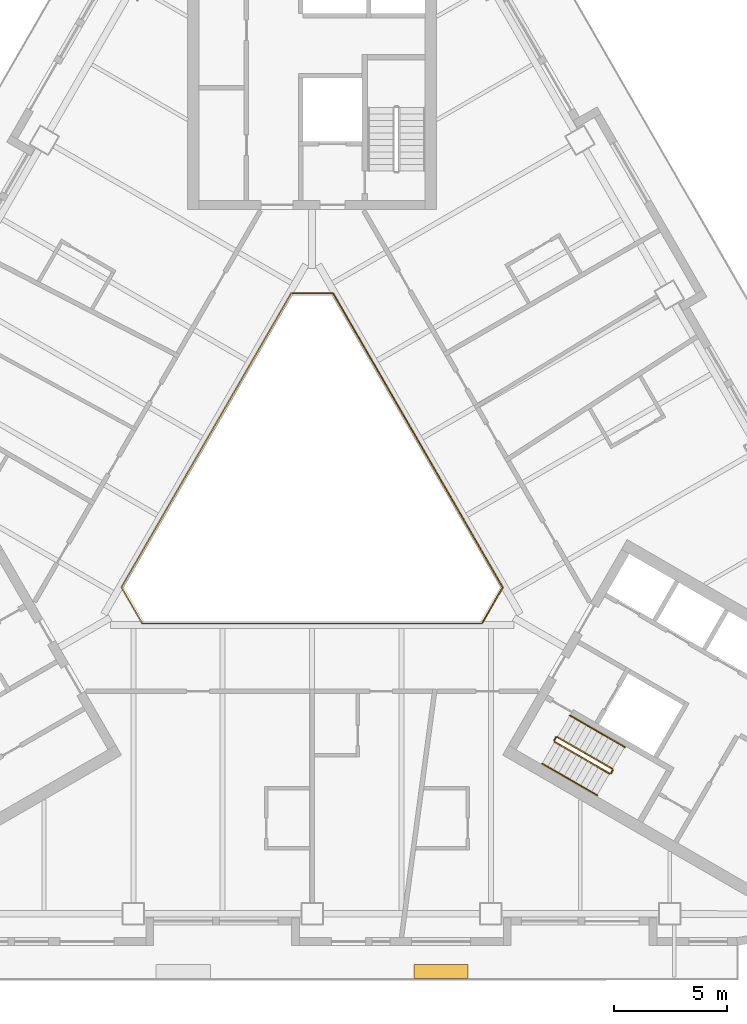
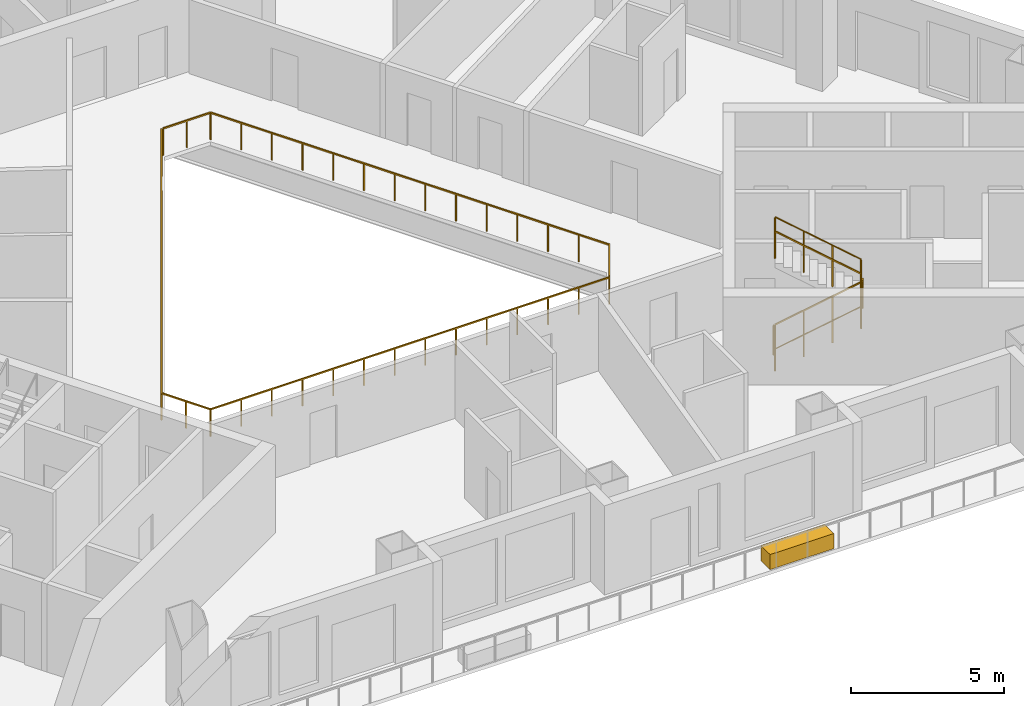
# One storey, part 11 of 13: 8 railings, 1 covering.
"""IFC4 building model written with IfcOpenShell, lengths in metres."""

from ifc_helpers import new_model, si_unit, direction, frame, origin, origin_2d, place, context, subcontext, project, spatial, rectangle, circle, extrude, material, type_object, element, save


model = new_model("IFC4")

# Units and contexts
model_context = context("Model", 3, precision=1e-05, world=origin(), true_north=direction((0.0, 1.0)))
body_context = subcontext(model_context, "Body", "Model", "MODEL_VIEW")
ifc_project = project(units=[si_unit("LENGTHUNIT", "METRE"), si_unit("AREAUNIT", "SQUARE_METRE"), si_unit("VOLUMEUNIT", "CUBIC_METRE"), si_unit("PLANEANGLEUNIT", "RADIAN"), si_unit("MASSUNIT", "GRAM", prefix="KILO")], contexts=[model_context])

# Site, building, storey
site_placement = place(None, origin())
site = spatial("IfcSite", under=ifc_project, at=site_placement, CompositionType="ELEMENT")
building_placement = place(site_placement, origin())
building = spatial("IfcBuilding", under=site, at=building_placement, Name="Apuvela Tower Hotel", CompositionType="ELEMENT")
storey_placement = place(building_placement, frame((0.0, 0.0, 65.0)))
storey = spatial("IfcBuildingStorey", under=building, at=storey_placement, Name="L13", CompositionType="ELEMENT", Elevation=65.0)

# Railings
ifc_material_1 = material(Name="Steel S275 balustrade", Category="steel")
railing_type_1 = type_object("IfcRailingType", Name="COR-GUARD-1100", PredefinedType="GUARDRAIL", material=ifc_material_1)
railing_1_placement = place(storey_placement, frame((10.718994140625, -10.63427734375, 0.168212890625)))
element("IfcRailing", 1, at=railing_1_placement, inside=storey, type_object=railing_type_1, Name="L13 ST3 stair guard 1", PredefinedType="GUARDRAIL", context=body_context, shape_type="SweptSolid", body=[
    extrude(rectangle(XDim=0.048095703125, YDim=0.048095703125, at=origin_2d()), frame((0.0, 0.0, 1.076171875), z_axis=(0.742390482028, -0.42860119049, 0.514934356695), x_axis=(0.49998411664, 0.866034573852, 0.0)), (0.0, 0.0, 1.0), 3.26611328125),
    extrude(rectangle(XDim=0.0419921875, YDim=0.0419921875, at=origin_2d()), origin(), (0.0, 0.0, 1.0), 1.052001953125),
    extrude(rectangle(XDim=0.0419921875, YDim=0.0419921875, at=origin_2d()), frame((0.808349609375, -0.466552734375, 0.560546875)), (0.0, 0.0, 1.0), 1.052001953125),
    extrude(rectangle(XDim=0.0419921875, YDim=0.0419921875, at=origin_2d()), frame((1.616455078125, -0.933349609375, 1.121337890625)), (0.0, 0.0, 1.0), 1.052001953125),
    extrude(rectangle(XDim=0.0419921875, YDim=0.0419921875, at=origin_2d()), frame((2.4248046875, -1.39990234375, 1.681884765625)), (0.0, 0.0, 1.0), 1.052001953125),
])
railing_2_placement = place(storey_placement, frame((13.212158203125, -12.015869140625, 1.85009765625)))
element("IfcRailing", 2, at=railing_2_placement, inside=storey, type_object=railing_type_1, Name="L13 ST3 stair guard 2", PredefinedType="GUARDRAIL", context=body_context, shape_type="SweptSolid", body=[
    extrude(rectangle(XDim=0.048095703125, YDim=0.048095703125, at=origin_2d()), frame((0.0, 0.0, 1.076171875), z_axis=(0.499816412211, 0.866131372301, 0.0), x_axis=(-0.866131372301, 0.499816412211, 0.0)), (0.0, 0.0, 1.0), 0.14990234375),
    extrude(rectangle(XDim=0.0419921875, YDim=0.0419921875, at=origin_2d()), origin(), (0.0, 0.0, 1.0), 1.052001953125),
    extrude(rectangle(XDim=0.0419921875, YDim=0.0419921875, at=origin_2d()), frame((0.074951171875, 0.1298828125, 0.0)), (0.0, 0.0, 1.0), 1.052001953125),
])
railing_3_placement = place(storey_placement, frame((13.268798828125, -11.817626953125, 2.01806640625)))
element("IfcRailing", 3, at=railing_3_placement, inside=storey, type_object=railing_type_1, Name="L13 ST3 stair guard 3", PredefinedType="GUARDRAIL", context=body_context, shape_type="SweptSolid", body=[
    extrude(rectangle(XDim=0.048095703125, YDim=0.048095703125, at=origin_2d()), frame((0.0, 0.0, 1.076171875), z_axis=(-0.742390482028, 0.42860119049, 0.514934356695), x_axis=(-0.49998411664, -0.866034573852, 0.0)), (0.0, 0.0, 1.0), 3.26611328125),
    extrude(rectangle(XDim=0.0419921875, YDim=0.0419921875, at=origin_2d()), origin(), (0.0, 0.0, 1.0), 1.052001953125),
    extrude(rectangle(XDim=0.0419921875, YDim=0.0419921875, at=origin_2d()), frame((-0.808349609375, 0.466552734375, 0.560546875)), (0.0, 0.0, 1.0), 1.052001953125),
    extrude(rectangle(XDim=0.0419921875, YDim=0.0419921875, at=origin_2d()), frame((-1.616455078125, 0.933349609375, 1.121337890625)), (0.0, 0.0, 1.0), 1.052001953125),
    extrude(rectangle(XDim=0.0419921875, YDim=0.0419921875, at=origin_2d()), frame((-2.4248046875, 1.39990234375, 1.681884765625)), (0.0, 0.0, 1.0), 1.052001953125),
])
railing_4_placement = place(storey_placement, frame((10.70068359375, -10.56591796875, 0.0)))
element("IfcRailing", 4, at=railing_4_placement, inside=storey, type_object=railing_type_1, Name="L13 ST3 stair guard 4", PredefinedType="GUARDRAIL", context=body_context, shape_type="SweptSolid", body=[
    extrude(rectangle(XDim=0.048095703125, YDim=0.048095703125, at=origin_2d()), frame((0.0, 0.0, 1.076171875), z_axis=(0.499816412211, 0.866131372301, 0.0), x_axis=(-0.866131372301, 0.499816412211, 0.0)), (0.0, 0.0, 1.0), 0.14990234375),
    extrude(rectangle(XDim=0.0419921875, YDim=0.0419921875, at=origin_2d()), origin(), (0.0, 0.0, 1.0), 1.052001953125),
    extrude(rectangle(XDim=0.0419921875, YDim=0.0419921875, at=origin_2d()), frame((0.074951171875, 0.1298828125, 0.0)), (0.0, 0.0, 1.0), 1.052001953125),
])
ifc_material_2 = material(Name="Stainless steel 316 handrail", Category="steel")
railing_type_2 = type_object("IfcRailingType", Name="COR-HANDRAIL-900", PredefinedType="HANDRAIL", material=ifc_material_2)
railing_5_placement = place(storey_placement, frame((10.1689453125, -11.5869140625, 0.168212890625)))
element("IfcRailing", 5, at=railing_5_placement, inside=storey, type_object=railing_type_2, Name="L13 ST3 stair handrail 1", PredefinedType="HANDRAIL", context=body_context, shape_type="SweptSolid", body=[
    extrude(circle(Radius=0.02392578125, at=origin_2d()), frame((0.0, 0.0, 0.8759765625), z_axis=(0.742390482028, -0.42860119049, 0.514934356695), x_axis=(0.49998411664, 0.866034573852, 0.0)), (0.0, 0.0, 1.0), 3.26611328125),
    extrude(rectangle(XDim=0.0419921875, YDim=0.0419921875, at=origin_2d()), origin(), (0.0, 0.0, 1.0), 0.851806640625),
    extrude(rectangle(XDim=0.0419921875, YDim=0.0419921875, at=origin_2d()), frame((0.808349609375, -0.466552734375, 0.560546875)), (0.0, 0.0, 1.0), 0.851806640625),
    extrude(rectangle(XDim=0.0419921875, YDim=0.0419921875, at=origin_2d()), frame((1.616455078125, -0.933349609375, 1.121337890625)), (0.0, 0.0, 1.0), 0.851806640625),
    extrude(rectangle(XDim=0.0419921875, YDim=0.0419921875, at=origin_2d()), frame((2.4248046875, -1.39990234375, 1.681884765625)), (0.0, 0.0, 1.0), 0.851806640625),
])
railing_6_placement = place(storey_placement, frame((13.81884765625, -10.864990234375, 2.01806640625)))
element("IfcRailing", 6, at=railing_6_placement, inside=storey, type_object=railing_type_2, Name="L13 ST3 stair handrail 2", PredefinedType="HANDRAIL", context=body_context, shape_type="SweptSolid", body=[
    extrude(circle(Radius=0.02392578125, at=origin_2d()), frame((0.0, 0.0, 0.8759765625), z_axis=(-0.742390482028, 0.42860119049, 0.514934356695), x_axis=(-0.49998411664, -0.866034573852, 0.0)), (0.0, 0.0, 1.0), 3.26611328125),
    extrude(rectangle(XDim=0.0419921875, YDim=0.0419921875, at=origin_2d()), origin(), (0.0, 0.0, 1.0), 0.851806640625),
    extrude(rectangle(XDim=0.0419921875, YDim=0.0419921875, at=origin_2d()), frame((-0.808349609375, 0.466552734375, 0.560546875)), (0.0, 0.0, 1.0), 0.851806640625),
    extrude(rectangle(XDim=0.0419921875, YDim=0.0419921875, at=origin_2d()), frame((-1.616455078125, 0.933349609375, 1.121337890625)), (0.0, 0.0, 1.0), 0.851806640625),
    extrude(rectangle(XDim=0.0419921875, YDim=0.0419921875, at=origin_2d()), frame((-2.4248046875, 1.39990234375, 1.681884765625)), (0.0, 0.0, 1.0), 0.851806640625),
])
ifc_material_3 = material(Name="Stainless steel 316 rail with laminated glass infill", Category="steel")
railing_type_3 = type_object("IfcRailingType", Name="ENV-GUARD-1100", PredefinedType="GUARDRAIL", material=ifc_material_3)
railing_7_placement = place(storey_placement, frame((-0.923828125, 9.199951171875, 0.0)))
element("IfcRailing", 7, at=railing_7_placement, inside=storey, type_object=railing_type_3, Name="Atrium void guard A L13", PredefinedType="GUARDRAIL", context=body_context, shape_type="SweptSolid", body=[
    extrude(rectangle(XDim=0.050048828125, YDim=0.050048828125, at=origin_2d()), frame((0.0, 0.0, 1.0751953125), z_axis=(-0.499990886379, -0.866030665472, 0.0), x_axis=(0.866030665472, -0.499990886379, 0.0)), (0.0, 0.0, 1.0), 15.010986328125),
    extrude(rectangle(XDim=0.050048828125, YDim=0.050048828125, at=origin_2d()), frame((-7.50537109375, -13.0, 1.0751953125), z_axis=(0.499962699187, -0.866046938348, 0.0), x_axis=(0.866046938348, 0.499962699187, 0.0)), (0.0, 0.0, 1.0), 1.847412109375),
    extrude(rectangle(XDim=0.050048828125, YDim=0.050048828125, at=origin_2d()), frame((-6.581787109375, -14.599853515625, 1.0751953125), z_axis=(1.0, 0.0, 0.0), x_axis=(0.0, 1.0, 0.0)), (0.0, 0.0, 1.0), 15.01123046875),
    extrude(rectangle(XDim=0.0400390625, YDim=0.0400390625, at=origin_2d()), origin(), (0.0, 0.0, 1.0), 1.050048828125),
    extrude(rectangle(XDim=0.0400390625, YDim=0.0400390625, at=origin_2d()), frame((-0.577392578125, -1.0, 0.0)), (0.0, 0.0, 1.0), 1.050048828125),
    extrude(rectangle(XDim=0.0400390625, YDim=0.0400390625, at=origin_2d()), frame((-1.15478515625, -2.0, 0.0)), (0.0, 0.0, 1.0), 1.050048828125),
    extrude(rectangle(XDim=0.0400390625, YDim=0.0400390625, at=origin_2d()), frame((-1.73193359375, -3.0, 0.0)), (0.0, 0.0, 1.0), 1.050048828125),
    extrude(rectangle(XDim=0.0400390625, YDim=0.0400390625, at=origin_2d()), frame((-2.309326171875, -4.0, 0.0)), (0.0, 0.0, 1.0), 1.050048828125),
    extrude(rectangle(XDim=0.0400390625, YDim=0.0400390625, at=origin_2d()), frame((-2.88671875, -5.0, 0.0)), (0.0, 0.0, 1.0), 1.050048828125),
    extrude(rectangle(XDim=0.0400390625, YDim=0.0400390625, at=origin_2d()), frame((-3.464111328125, -6.0, 0.0)), (0.0, 0.0, 1.0), 1.050048828125),
    extrude(rectangle(XDim=0.0400390625, YDim=0.0400390625, at=origin_2d()), frame((-4.041259765625, -7.0, 0.0)), (0.0, 0.0, 1.0), 1.050048828125),
    extrude(rectangle(XDim=0.0400390625, YDim=0.0400390625, at=origin_2d()), frame((-4.61865234375, -8.0, 0.0)), (0.0, 0.0, 1.0), 1.050048828125),
    extrude(rectangle(XDim=0.0400390625, YDim=0.0400390625, at=origin_2d()), frame((-5.196044921875, -9.0, 0.0)), (0.0, 0.0, 1.0), 1.050048828125),
    extrude(rectangle(XDim=0.0400390625, YDim=0.0400390625, at=origin_2d()), frame((-5.7734375, -10.0, 0.0)), (0.0, 0.0, 1.0), 1.050048828125),
    extrude(rectangle(XDim=0.0400390625, YDim=0.0400390625, at=origin_2d()), frame((-6.3505859375, -11.0, 0.0)), (0.0, 0.0, 1.0), 1.050048828125),
    extrude(rectangle(XDim=0.0400390625, YDim=0.0400390625, at=origin_2d()), frame((-6.927978515625, -12.0, 0.0)), (0.0, 0.0, 1.0), 1.050048828125),
    extrude(rectangle(XDim=0.0400390625, YDim=0.0400390625, at=origin_2d()), frame((-7.50537109375, -13.0, 0.0)), (0.0, 0.0, 1.0), 1.050048828125),
    extrude(rectangle(XDim=0.0400390625, YDim=0.0400390625, at=origin_2d()), frame((-7.04345703125, -13.7998046875, 0.0)), (0.0, 0.0, 1.0), 1.050048828125),
    extrude(rectangle(XDim=0.0400390625, YDim=0.0400390625, at=origin_2d()), frame((-6.581787109375, -14.599853515625, 0.0)), (0.0, 0.0, 1.0), 1.050048828125),
    extrude(rectangle(XDim=0.0400390625, YDim=0.0400390625, at=origin_2d()), frame((-5.427001953125, -14.599853515625, 0.0)), (0.0, 0.0, 1.0), 1.050048828125),
    extrude(rectangle(XDim=0.0400390625, YDim=0.0400390625, at=origin_2d()), frame((-4.2724609375, -14.599853515625, 0.0)), (0.0, 0.0, 1.0), 1.050048828125),
    extrude(rectangle(XDim=0.0400390625, YDim=0.0400390625, at=origin_2d()), frame((-3.11767578125, -14.599853515625, 0.0)), (0.0, 0.0, 1.0), 1.050048828125),
    extrude(rectangle(XDim=0.0400390625, YDim=0.0400390625, at=origin_2d()), frame((-1.962890625, -14.599853515625, 0.0)), (0.0, 0.0, 1.0), 1.050048828125),
    extrude(rectangle(XDim=0.0400390625, YDim=0.0400390625, at=origin_2d()), frame((-0.808349609375, -14.599853515625, 0.0)), (0.0, 0.0, 1.0), 1.050048828125),
    extrude(rectangle(XDim=0.0400390625, YDim=0.0400390625, at=origin_2d()), frame((0.346435546875, -14.599853515625, 0.0)), (0.0, 0.0, 1.0), 1.050048828125),
    extrude(rectangle(XDim=0.0400390625, YDim=0.0400390625, at=origin_2d()), frame((1.501220703125, -14.599853515625, 0.0)), (0.0, 0.0, 1.0), 1.050048828125),
    extrude(rectangle(XDim=0.0400390625, YDim=0.0400390625, at=origin_2d()), frame((2.656005859375, -14.599853515625, 0.0)), (0.0, 0.0, 1.0), 1.050048828125),
    extrude(rectangle(XDim=0.0400390625, YDim=0.0400390625, at=origin_2d()), frame((3.810546875, -14.599853515625, 0.0)), (0.0, 0.0, 1.0), 1.050048828125),
    extrude(rectangle(XDim=0.0400390625, YDim=0.0400390625, at=origin_2d()), frame((4.96533203125, -14.599853515625, 0.0)), (0.0, 0.0, 1.0), 1.050048828125),
    extrude(rectangle(XDim=0.0400390625, YDim=0.0400390625, at=origin_2d()), frame((6.1201171875, -14.599853515625, 0.0)), (0.0, 0.0, 1.0), 1.050048828125),
    extrude(rectangle(XDim=0.0400390625, YDim=0.0400390625, at=origin_2d()), frame((7.274658203125, -14.599853515625, 0.0)), (0.0, 0.0, 1.0), 1.050048828125),
    extrude(rectangle(XDim=0.0400390625, YDim=0.0400390625, at=origin_2d()), frame((8.429443359375, -14.599853515625, 0.0)), (0.0, 0.0, 1.0), 1.050048828125),
])
railing_8_placement = place(storey_placement, frame((7.53564453125, -5.347900390625, 0.0)))
element("IfcRailing", 8, at=railing_8_placement, inside=storey, type_object=railing_type_3, Name="Atrium void guard B L13", PredefinedType="GUARDRAIL", context=body_context, shape_type="SweptSolid", body=[
    extrude(rectangle(XDim=0.050048828125, YDim=0.050048828125, at=origin_2d()), frame((0.0, 0.0, 1.0751953125), z_axis=(0.499958946799, 0.866049104564, 0.0), x_axis=(-0.866049104564, 0.499958946799, 0.0)), (0.0, 0.0, 1.0), 1.787353515625),
    extrude(rectangle(XDim=0.050048828125, YDim=0.050048828125, at=origin_2d()), frame((0.8935546875, 1.5478515625, 1.0751953125), z_axis=(-0.499990886379, 0.866030665472, 0.0), x_axis=(-0.866030665472, -0.499990886379, 0.0)), (0.0, 0.0, 1.0), 15.010986328125),
    extrude(rectangle(XDim=0.050048828125, YDim=0.050048828125, at=origin_2d()), frame((-6.61181640625, 14.5478515625, 1.0751953125), z_axis=(-1.0, 0.0, 0.0), x_axis=(0.0, -1.0, 0.0)), (0.0, 0.0, 1.0), 1.78759765625),
    extrude(rectangle(XDim=0.0400390625, YDim=0.0400390625, at=origin_2d()), origin(), (0.0, 0.0, 1.0), 1.050048828125),
    extrude(rectangle(XDim=0.0400390625, YDim=0.0400390625, at=origin_2d()), frame((0.44677734375, 0.77392578125, 0.0)), (0.0, 0.0, 1.0), 1.050048828125),
    extrude(rectangle(XDim=0.0400390625, YDim=0.0400390625, at=origin_2d()), frame((0.8935546875, 1.5478515625, 0.0)), (0.0, 0.0, 1.0), 1.050048828125),
    extrude(rectangle(XDim=0.0400390625, YDim=0.0400390625, at=origin_2d()), frame((0.316162109375, 2.5478515625, 0.0)), (0.0, 0.0, 1.0), 1.050048828125),
    extrude(rectangle(XDim=0.0400390625, YDim=0.0400390625, at=origin_2d()), frame((-0.26123046875, 3.5478515625, 0.0)), (0.0, 0.0, 1.0), 1.050048828125),
    extrude(rectangle(XDim=0.0400390625, YDim=0.0400390625, at=origin_2d()), frame((-0.83837890625, 4.5478515625, 0.0)), (0.0, 0.0, 1.0), 1.050048828125),
    extrude(rectangle(XDim=0.0400390625, YDim=0.0400390625, at=origin_2d()), frame((-1.415771484375, 5.5478515625, 0.0)), (0.0, 0.0, 1.0), 1.050048828125),
    extrude(rectangle(XDim=0.0400390625, YDim=0.0400390625, at=origin_2d()), frame((-1.9931640625, 6.5478515625, 0.0)), (0.0, 0.0, 1.0), 1.050048828125),
    extrude(rectangle(XDim=0.0400390625, YDim=0.0400390625, at=origin_2d()), frame((-2.570556640625, 7.5478515625, 0.0)), (0.0, 0.0, 1.0), 1.050048828125),
    extrude(rectangle(XDim=0.0400390625, YDim=0.0400390625, at=origin_2d()), frame((-3.147705078125, 8.5478515625, 0.0)), (0.0, 0.0, 1.0), 1.050048828125),
    extrude(rectangle(XDim=0.0400390625, YDim=0.0400390625, at=origin_2d()), frame((-3.72509765625, 9.5478515625, 0.0)), (0.0, 0.0, 1.0), 1.050048828125),
    extrude(rectangle(XDim=0.0400390625, YDim=0.0400390625, at=origin_2d()), frame((-4.302490234375, 10.5478515625, 0.0)), (0.0, 0.0, 1.0), 1.050048828125),
    extrude(rectangle(XDim=0.0400390625, YDim=0.0400390625, at=origin_2d()), frame((-4.8798828125, 11.5478515625, 0.0)), (0.0, 0.0, 1.0), 1.050048828125),
    extrude(rectangle(XDim=0.0400390625, YDim=0.0400390625, at=origin_2d()), frame((-5.45703125, 12.5478515625, 0.0)), (0.0, 0.0, 1.0), 1.050048828125),
    extrude(rectangle(XDim=0.0400390625, YDim=0.0400390625, at=origin_2d()), frame((-6.034423828125, 13.5478515625, 0.0)), (0.0, 0.0, 1.0), 1.050048828125),
    extrude(rectangle(XDim=0.0400390625, YDim=0.0400390625, at=origin_2d()), frame((-6.61181640625, 14.5478515625, 0.0)), (0.0, 0.0, 1.0), 1.050048828125),
    extrude(rectangle(XDim=0.0400390625, YDim=0.0400390625, at=origin_2d()), frame((-7.505615234375, 14.5478515625, 0.0)), (0.0, 0.0, 1.0), 1.050048828125),
    extrude(rectangle(XDim=0.0400390625, YDim=0.0400390625, at=origin_2d()), frame((-8.3994140625, 14.5478515625, 0.0)), (0.0, 0.0, 1.0), 1.050048828125),
])

# Covering
ifc_material_4 = material(Name="Planting substrate and soil, planted")
covering_type = type_object("IfcCoveringType", Name="ENV-PLANTER-2400x600", PredefinedType="USERDEFINED", material=ifc_material_4)
covering_placement = place(storey_placement, frame((5.70068359375, -20.780029296875, 0.0), z_axis=(0.0, 0.0, 1.0), x_axis=(1.0, 0.0, 0.0)))
element("IfcCovering", 9, at=covering_placement, inside=storey, type_object=covering_type, Name="Planter S2", ObjectType="PLANTER", PredefinedType="USERDEFINED", context=body_context, shape_type="SweptSolid", body=[
    extrude(rectangle(XDim=2.39990234375, YDim=0.60009765625, at=origin_2d()), origin(), (0.0, 0.0, 1.0), 0.60009765625),
])

save(model, "model.ifc")
